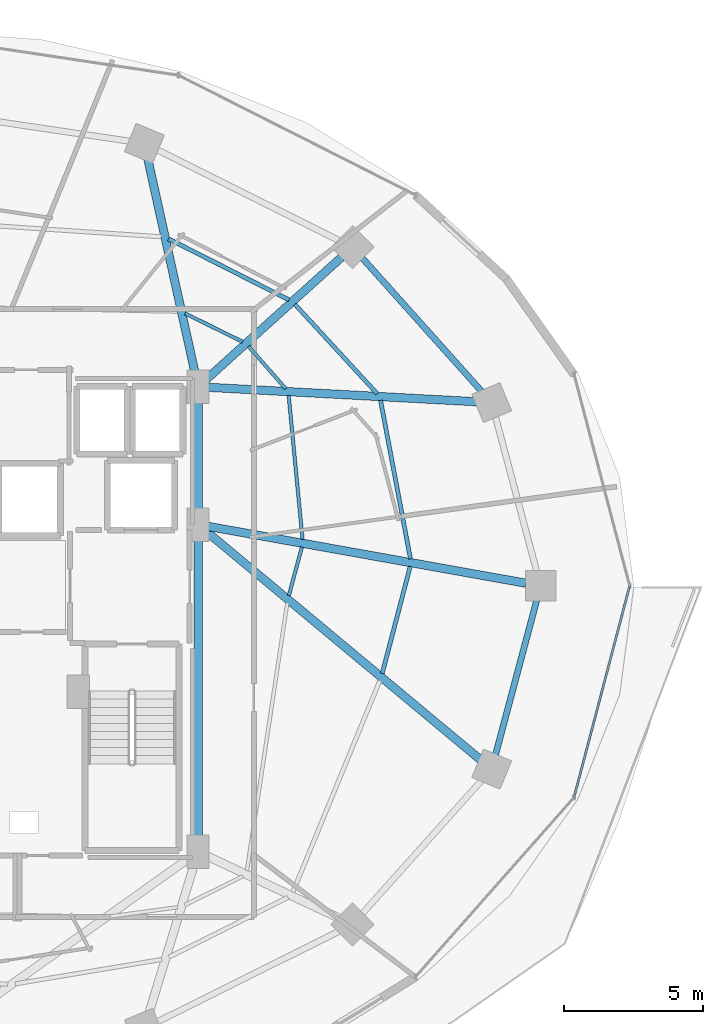
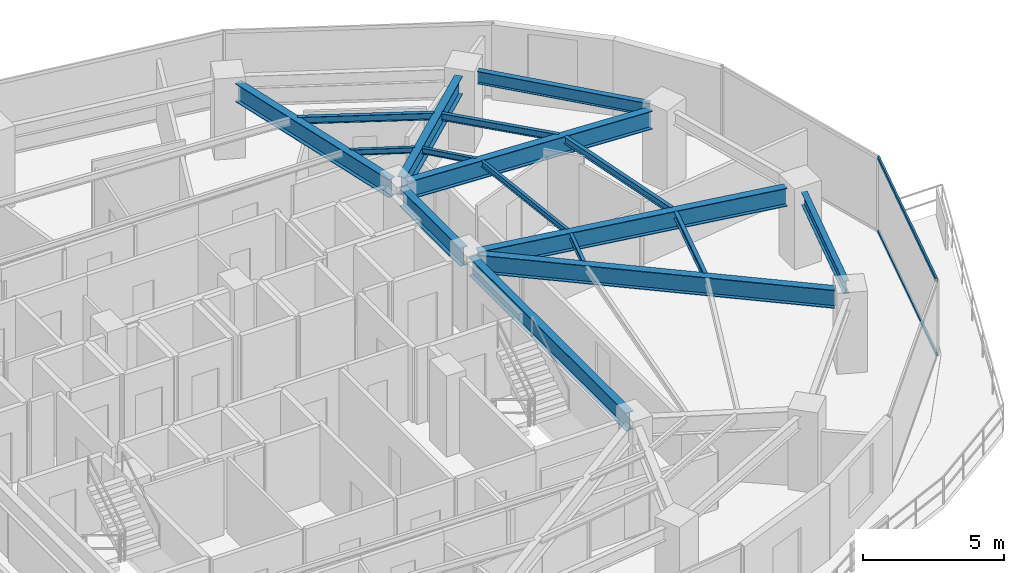
# One storey, part 14 of 30: 17 beams, 2 members, 1 element without a shape of its own.
"""IFC4 building model written with IfcOpenShell, lengths in metres."""

from ifc_helpers import new_model, si_unit, direction, frame, origin, origin_2d, place, context, subcontext, project, spatial, hollow_rectangle, i_section, extrude, material, material_profile, profile_set, type_object, element, aggregate, save


model = new_model("IFC4")

# Units and contexts
model_context = context("Model", 3, precision=1e-05, world=origin(), true_north=direction((0.0, 1.0)))
body_context = subcontext(model_context, "Body", "Model", "MODEL_VIEW")
ifc_project = project(units=[si_unit("LENGTHUNIT", "METRE"), si_unit("AREAUNIT", "SQUARE_METRE"), si_unit("VOLUMEUNIT", "CUBIC_METRE"), si_unit("PLANEANGLEUNIT", "RADIAN"), si_unit("MASSUNIT", "GRAM", prefix="KILO")], contexts=[model_context])

# Site, building, storey
site_placement = place(None, origin())
site = spatial("IfcSite", under=ifc_project, at=site_placement, CompositionType="ELEMENT")
building_placement = place(site_placement, origin())
building = spatial("IfcBuilding", under=site, at=building_placement, Name="Vorneva Point Tower", CompositionType="ELEMENT")
storey_placement = place(building_placement, frame((0.0, 0.0, 89.300048828125)))
storey = spatial("IfcBuildingStorey", under=building, at=storey_placement, Name="L23", CompositionType="ELEMENT", Elevation=89.300048828125)

# Beams
ifc_material_1 = material(Name="Steel S355", Category="steel")
ifc_material_profile_1 = material_profile(ifc_material_1, i_section(OverallWidth=0.300048828125, OverallDepth=0.7880859375, WebThickness=0.014404296875, FlangeThickness=0.02197265625, at=origin_2d()), Name="80Sh1")
ifc_profile_set_1 = profile_set([ifc_material_profile_1], Name="Steel S355")
beam_type_1 = type_object("IfcBeamType", Name="BM-GRD-80Sh1", PredefinedType="USERDEFINED", material=ifc_profile_set_1)
beam_1_placement = place(storey_placement, frame((60.5205078125, 26.0947265625, 2.845947265625), z_axis=(-0.984378310682, 0.176066298476, 0.0), x_axis=(-0.176066298476, -0.984378310682, 0.0)))
element("IfcBeam", 1, at=beam_1_placement, inside=storey, type_object=beam_type_1, Name="L23 Radial Primary Girder 01", ObjectType="GIRDER", PredefinedType="USERDEFINED", context=body_context, shape_type="SweptSolid", body=[
    extrude(i_section(OverallWidth=0.300048828125, OverallDepth=0.7880859375, WebThickness=0.014404296875, FlangeThickness=0.02197265625, at=origin_2d()), origin(), (0.0, 0.0, 1.0), 11.6171875),
])
beam_2_placement = place(storey_placement, frame((58.75830078125, 32.611083984375, 2.845947265625), z_axis=(-0.998554075878, 0.053756465161, 0.0), x_axis=(-0.053756465161, -0.998554075878, 0.0)))
element("IfcBeam", 2, at=beam_2_placement, inside=storey, type_object=beam_type_1, Name="L23 Radial Primary Girder 02", ObjectType="GIRDER", PredefinedType="USERDEFINED", context=body_context, shape_type="SweptSolid", body=[
    extrude(i_section(OverallWidth=0.300048828125, OverallDepth=0.7880859375, WebThickness=0.014404296875, FlangeThickness=0.02197265625, at=origin_2d()), origin(), (0.0, 0.0, 1.0), 9.6826171875),
])
beam_3_placement = place(storey_placement, frame((53.899658203125, 37.801513671875, 2.845947265625), z_axis=(-0.742097300344, -0.670292172729, 0.0), x_axis=(0.670292172729, -0.742097300344, 0.0)))
element("IfcBeam", 3, at=beam_3_placement, inside=storey, type_object=beam_type_1, Name="L23 Radial Primary Girder 03", ObjectType="GIRDER", PredefinedType="USERDEFINED", context=body_context, shape_type="SweptSolid", body=[
    extrude(i_section(OverallWidth=0.300048828125, OverallDepth=0.7880859375, WebThickness=0.014404296875, FlangeThickness=0.02197265625, at=origin_2d()), origin(), (0.0, 0.0, 1.0), 6.599365234375),
])
beam_4_placement = place(storey_placement, frame((46.936767578125, 41.365234375, 2.845947265625), z_axis=(0.215530944428, -0.976497010745, 0.0), x_axis=(0.976497010745, 0.215530944428, 0.0)))
element("IfcBeam", 4, at=beam_4_placement, inside=storey, type_object=beam_type_1, Name="L23 Radial Primary Girder 04", ObjectType="GIRDER", PredefinedType="USERDEFINED", context=body_context, shape_type="SweptSolid", body=[
    extrude(i_section(OverallWidth=0.300048828125, OverallDepth=0.7880859375, WebThickness=0.014404296875, FlangeThickness=0.02197265625, at=origin_2d()), origin(), (0.0, 0.0, 1.0), 8.072998046875),
])
beam_5_placement = place(storey_placement, frame((58.882080078125, 19.76220703125, 2.845947265625), z_axis=(-0.768431550428, 0.639931990376, 0.0), x_axis=(-0.639931990376, -0.768431550428, 0.0)))
element("IfcBeam", 5, at=beam_5_placement, inside=storey, type_object=beam_type_1, Name="L23 Radial Primary Girder 16", ObjectType="GIRDER", PredefinedType="USERDEFINED", context=body_context, shape_type="SweptSolid", body=[
    extrude(i_section(OverallWidth=0.300048828125, OverallDepth=0.7880859375, WebThickness=0.014404296875, FlangeThickness=0.02197265625, at=origin_2d()), origin(), (0.0, 0.0, 1.0), 12.845458984375),
])
beam_6_placement = place(storey_placement, frame((48.75, 16.77001953125, 2.845947265625), z_axis=(0.0, 1.0, 0.0), x_axis=(-1.0, 0.0, 0.0)))
element("IfcBeam", 6, at=beam_6_placement, inside=storey, type_object=beam_type_1, Name="L23 Core Tie Girder CT3", ObjectType="GIRDER", PredefinedType="USERDEFINED", context=body_context, shape_type="SweptSolid", body=[
    extrude(i_section(OverallWidth=0.300048828125, OverallDepth=0.7880859375, WebThickness=0.014404296875, FlangeThickness=0.02197265625, at=origin_2d()), origin(), (0.0, 0.0, 1.0), 11.10986328125),
])
beam_7_placement = place(storey_placement, frame((48.75, 28.52001953125, 2.845947265625), z_axis=(0.0, 1.0, 0.0), x_axis=(-1.0, 0.0, 0.0)))
element("IfcBeam", 7, at=beam_7_placement, inside=storey, type_object=beam_type_1, Name="L23 Core Tie Girder CT4", ObjectType="GIRDER", PredefinedType="USERDEFINED", context=body_context, shape_type="SweptSolid", body=[
    extrude(i_section(OverallWidth=0.300048828125, OverallDepth=0.7880859375, WebThickness=0.014404296875, FlangeThickness=0.02197265625, at=origin_2d()), origin(), (0.0, 0.0, 1.0), 4.31005859375),
])
ifc_material_profile_2 = material_profile(ifc_material_1, i_section(OverallWidth=0.1240234375, OverallDepth=0.248046875, WebThickness=0.0048828125, FlangeThickness=0.008056640625, at=origin_2d()), Name="25B1")
ifc_profile_set_2 = profile_set([ifc_material_profile_2], Name="Steel S355")
beam_type_2 = type_object("IfcBeamType", Name="BM-JST-25B1", PredefinedType="JOIST", material=ifc_profile_set_2)
beam_8_placement = place(storey_placement, frame((52.502197265625, 27.663818359375, 3.115966796875), z_axis=(-0.095950449471, 0.99538611164, 0.0), x_axis=(-0.99538611164, -0.095950449471, 0.0)))
element("IfcBeam", 8, at=beam_8_placement, inside=storey, type_object=beam_type_2, Name="L23 Secondary Floor Beam 2.01", PredefinedType="JOIST", context=body_context, shape_type="SweptSolid", body=[
    extrude(i_section(OverallWidth=0.1240234375, OverallDepth=0.248046875, WebThickness=0.0048828125, FlangeThickness=0.008056640625, at=origin_2d()), origin(), (0.0, 0.0, 1.0), 5.1982421875),
])
beam_9_placement = place(storey_placement, frame((51.899169921875, 33.0791015625, 3.115966796875), z_axis=(-0.659826069544, 0.751418364129, 0.0), x_axis=(-0.751418364129, -0.659826069544, 0.0)))
element("IfcBeam", 9, at=beam_9_placement, inside=storey, type_object=beam_type_2, Name="L23 Secondary Floor Beam 2.02", PredefinedType="JOIST", context=body_context, shape_type="SweptSolid", body=[
    extrude(i_section(OverallWidth=0.1240234375, OverallDepth=0.248046875, WebThickness=0.0048828125, FlangeThickness=0.008056640625, at=origin_2d()), origin(), (0.0, 0.0, 1.0), 2.02587890625),
])
beam_10_placement = place(storey_placement, frame((50.34765625, 34.76611328125, 3.115966796875), z_axis=(-0.896973792336, 0.442083720423, 0.0), x_axis=(-0.442083720423, -0.896973792336, 0.0)))
element("IfcBeam", 10, at=beam_10_placement, inside=storey, type_object=beam_type_2, Name="L23 Secondary Floor Beam 2.03", PredefinedType="JOIST", context=body_context, shape_type="SweptSolid", body=[
    extrude(i_section(OverallWidth=0.1240234375, OverallDepth=0.248046875, WebThickness=0.0048828125, FlangeThickness=0.008056640625, at=origin_2d()), origin(), (0.0, 0.0, 1.0), 2.306640625),
])
beam_11_placement = place(storey_placement, frame((52.008544921875, 25.6494140625, 3.115966796875), z_axis=(0.260714981089, 0.965415816442, 0.0), x_axis=(-0.965415816442, 0.260714981089, 0.0)))
element("IfcBeam", 11, at=beam_11_placement, inside=storey, type_object=beam_type_2, Name="L23 Secondary Floor Beam 2.16", PredefinedType="JOIST", context=body_context, shape_type="SweptSolid", body=[
    extrude(i_section(OverallWidth=0.1240234375, OverallDepth=0.248046875, WebThickness=0.0048828125, FlangeThickness=0.008056640625, at=origin_2d()), origin(), (0.0, 0.0, 1.0), 1.806396484375),
])
ifc_material_profile_3 = material_profile(ifc_material_1, i_section(OverallWidth=0.14892578125, OverallDepth=0.298095703125, WebThickness=0.005615234375, FlangeThickness=0.008056640625, at=origin_2d()), Name="30B1")
ifc_profile_set_3 = profile_set([ifc_material_profile_3], Name="Steel S355")
beam_type_3 = type_object("IfcBeamType", Name="BM-JST-30B1", PredefinedType="JOIST", material=ifc_profile_set_3)
beam_12_placement = place(storey_placement, frame((56.3779296875, 26.966796875, 3.091064453125), z_axis=(-0.185445459746, 0.98265455856, 0.0), x_axis=(-0.98265455856, -0.185445459746, 0.0)))
element("IfcBeam", 12, at=beam_12_placement, inside=storey, type_object=beam_type_3, Name="L23 Secondary Floor Beam 1.01", PredefinedType="JOIST", context=body_context, shape_type="SweptSolid", body=[
    extrude(i_section(OverallWidth=0.14892578125, OverallDepth=0.298095703125, WebThickness=0.005615234375, FlangeThickness=0.008056640625, at=origin_2d()), origin(), (0.0, 0.0, 1.0), 5.796630859375),
])
beam_13_placement = place(storey_placement, frame((55.18408203125, 32.89990234375, 3.091064453125), z_axis=(-0.677423941883, 0.735592824165, 0.0), x_axis=(-0.735592824165, -0.677423941883, 0.0)))
element("IfcBeam", 13, at=beam_13_placement, inside=storey, type_object=beam_type_3, Name="L23 Secondary Floor Beam 1.02", PredefinedType="JOIST", context=body_context, shape_type="SweptSolid", body=[
    extrude(i_section(OverallWidth=0.14892578125, OverallDepth=0.298095703125, WebThickness=0.005615234375, FlangeThickness=0.008056640625, at=origin_2d()), origin(), (0.0, 0.0, 1.0), 4.36083984375),
])
beam_14_placement = place(storey_placement, frame((52.013427734375, 36.271484375, 3.091064453125), z_axis=(-0.891957851433, 0.452118558862, 0.0), x_axis=(-0.452118558862, -0.891957851433, 0.0)))
element("IfcBeam", 14, at=beam_14_placement, inside=storey, type_object=beam_type_3, Name="L23 Secondary Floor Beam 1.03", PredefinedType="JOIST", context=body_context, shape_type="SweptSolid", body=[
    extrude(i_section(OverallWidth=0.14892578125, OverallDepth=0.298095703125, WebThickness=0.005615234375, FlangeThickness=0.008056640625, at=origin_2d()), origin(), (0.0, 0.0, 1.0), 4.851318359375),
])
beam_15_placement = place(storey_placement, frame((55.363525390625, 22.85498046875, 3.091064453125), z_axis=(0.253064919309, 0.967449299248, 0.0), x_axis=(-0.967449299248, 0.253064919309, 0.0)))
element("IfcBeam", 15, at=beam_15_placement, inside=storey, type_object=beam_type_3, Name="L23 Secondary Floor Beam 1.16", PredefinedType="JOIST", context=body_context, shape_type="SweptSolid", body=[
    extrude(i_section(OverallWidth=0.14892578125, OverallDepth=0.298095703125, WebThickness=0.005615234375, FlangeThickness=0.008056640625, at=origin_2d()), origin(), (0.0, 0.0, 1.0), 3.971923828125),
])
ifc_material_profile_4 = material_profile(ifc_material_1, i_section(OverallWidth=0.219970703125, OverallDepth=0.54296875, WebThickness=0.009521484375, FlangeThickness=0.013427734375, at=origin_2d()), Name="55B1")
ifc_profile_set_4 = profile_set([ifc_material_profile_4], Name="Steel S355")
beam_type_4 = type_object("IfcBeamType", Name="BM-SPN-55B1", PredefinedType="SPANDREL", material=ifc_profile_set_4)
beam_16_placement = place(storey_placement, frame((58.9384765625, 32.980712890625, 2.968505859375), z_axis=(-0.667073815664, 0.744991627105, 0.0), x_axis=(-0.744991627105, -0.667073815664, 0.0)))
element("IfcBeam", 16, at=beam_16_placement, inside=storey, type_object=beam_type_4, Name="L23 Perimeter Spandrel Ring Beam 02", PredefinedType="SPANDREL", context=body_context, shape_type="SweptSolid", body=[
    extrude(i_section(OverallWidth=0.219970703125, OverallDepth=0.54296875, WebThickness=0.009521484375, FlangeThickness=0.013427734375, at=origin_2d()), origin(), (0.0, 0.0, 1.0), 6.420166015625),
])
beam_17_placement = place(storey_placement, frame((59.43310546875, 19.934814453125, 2.968505859375), z_axis=(0.257572674071, 0.966258928845, 0.0), x_axis=(-0.966258928845, 0.257572674071, 0.0)))
element("IfcBeam", 17, at=beam_17_placement, inside=storey, type_object=beam_type_4, Name="L23 Perimeter Spandrel Ring Beam 16", PredefinedType="SPANDREL", context=body_context, shape_type="SweptSolid", body=[
    extrude(i_section(OverallWidth=0.219970703125, OverallDepth=0.54296875, WebThickness=0.009521484375, FlangeThickness=0.013427734375, at=origin_2d()), origin(), (0.0, 0.0, 1.0), 5.7421875),
])

# Curtain wall, members
ifc_material_2 = material(Name="Pale anodised aluminium", Category="aluminium")
curtain_wall_type = type_object("IfcCurtainWallType", Name="CW-HTL-SYS", PredefinedType="NOTDEFINED", material=ifc_material_2)
curtain_wall_placement = place(storey_placement, origin())
curtain_wall = element("IfcCurtainWall", 18, at=curtain_wall_placement, inside=storey, type_object=curtain_wall_type, Name="L23 Unitised Curtain Wall CW-L23-R01", PredefinedType="NOTDEFINED")
ifc_material_profile_5 = material_profile(ifc_material_2, hollow_rectangle(XDim=0.074951171875, YDim=0.14990234375, WallThickness=0.00390625, at=origin_2d()), Name="AL-TRN 150x75x4")
ifc_profile_set_5 = profile_set([ifc_material_profile_5], Name="Pale anodised aluminium")
member_type = type_object("IfcMemberType", Name="CW-TRN-150", PredefinedType="USERDEFINED", material=ifc_profile_set_5)
member_1_placement = place(storey_placement, frame((62.251708984375, 18.40380859375, 0.02001953125), z_axis=(0.254409150465, 0.967096677773, 0.0), x_axis=(-0.967096677773, 0.254409150465, 0.0)))
member_1 = element("IfcMember", 19, at=member_1_placement, type_object=member_type, Name="CW-L23-R01 Transom 02.1", ObjectType="TRANSOM", PredefinedType="USERDEFINED", context=body_context, shape_type="SweptSolid", body=[
    extrude(hollow_rectangle(XDim=0.074951171875, YDim=0.14990234375, WallThickness=0.00390625, at=origin_2d()), origin(), (0.0, 0.0, 1.0), 7.854736328125),
])
member_2_placement = place(storey_placement, frame((62.251708984375, 18.40380859375, 3.219970703125), z_axis=(0.254409150465, 0.967096677773, 0.0), x_axis=(-0.967096677773, 0.254409150465, 0.0)))
member_2 = element("IfcMember", 20, at=member_2_placement, type_object=member_type, Name="CW-L23-R01 Transom 02.2", ObjectType="TRANSOM", PredefinedType="USERDEFINED", context=body_context, shape_type="SweptSolid", body=[
    extrude(hollow_rectangle(XDim=0.074951171875, YDim=0.14990234375, WallThickness=0.00390625, at=origin_2d()), origin(), (0.0, 0.0, 1.0), 7.854736328125),
])
aggregate(curtain_wall, [member_1, member_2])

save(model, "model.ifc")
